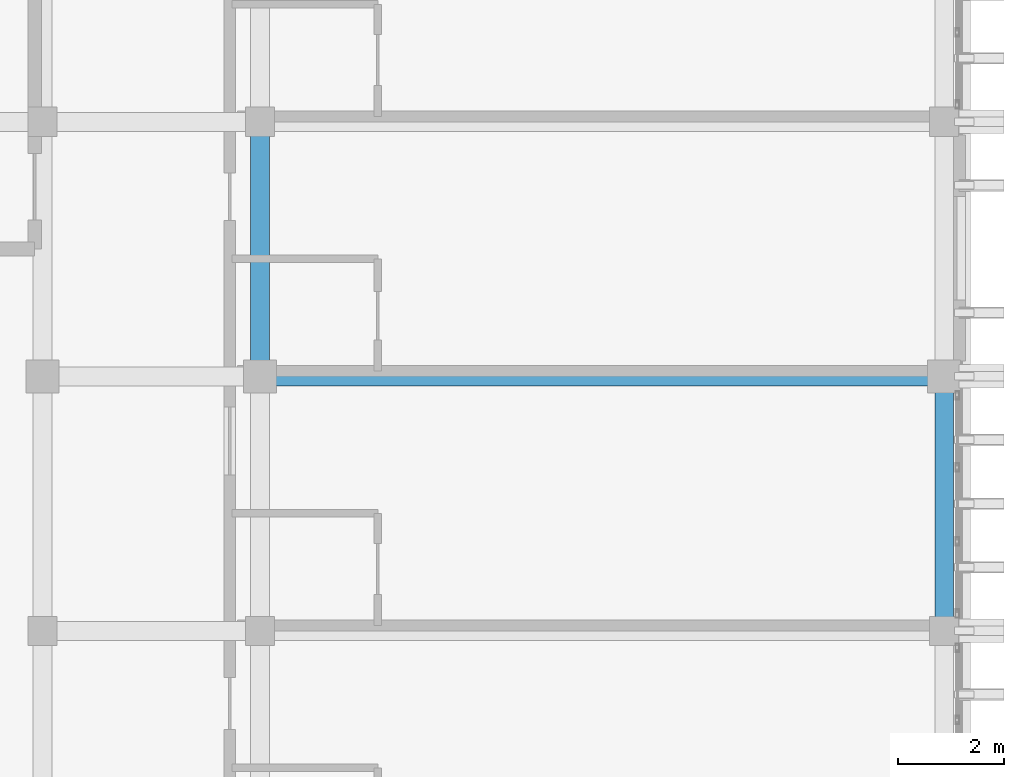
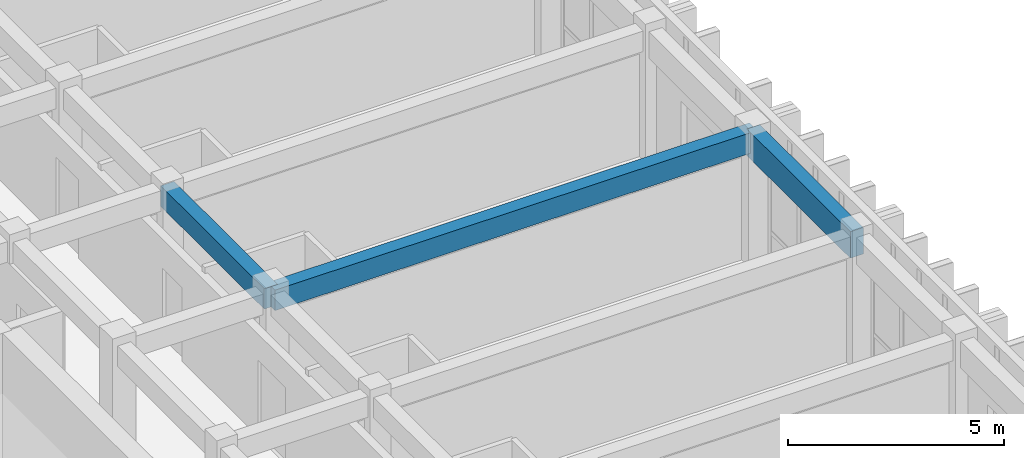
# One storey, part 16 of 50: 3 beams.
"""IFC4 building model written with IfcOpenShell, lengths in metres."""

from ifc_helpers import new_model, si_unit, direction, frame, origin, origin_2d, place, context, subcontext, project, spatial, rectangle, extrude, material, material_profile, profile_set, type_object, element, save


model = new_model("IFC4")

# Units and contexts
model_context = context("Model", 3, precision=1e-05, world=origin(), true_north=direction((0.0, 1.0)))
body_context = subcontext(model_context, "Body", "Model", "MODEL_VIEW")
ifc_project = project(units=[si_unit("LENGTHUNIT", "METRE"), si_unit("AREAUNIT", "SQUARE_METRE"), si_unit("VOLUMEUNIT", "CUBIC_METRE"), si_unit("PLANEANGLEUNIT", "RADIAN"), si_unit("MASSUNIT", "GRAM", prefix="KILO")], contexts=[model_context])

# Site, building, storey
site_placement = place(None, origin())
site = spatial("IfcSite", under=ifc_project, at=site_placement, CompositionType="ELEMENT")
building_placement = place(site_placement, origin())
building = spatial("IfcBuilding", under=site, at=building_placement, Name="Nakhvara Creek Congress Hotel", CompositionType="ELEMENT")
storey_placement = place(building_placement, frame((0.0, 0.0, 42.60009765625)))
storey = spatial("IfcBuildingStorey", under=building, at=storey_placement, Name="L10", CompositionType="ELEMENT", Elevation=42.60009765625)

# Beams
ifc_material = material(Name="Concrete C40/50", Category="concrete")
ifc_material_profile_1 = material_profile(ifc_material, rectangle(XDim=0.360107421875, YDim=0.580078125, at=origin_2d()), Name="RC-BM 360x580", Category="LoadBearing")
ifc_profile_set_1 = profile_set([ifc_material_profile_1], Name="Concrete C40/50")
beam_type_1 = type_object("IfcBeamType", Name="BM-RC-360X580", PredefinedType="BEAM", material=ifc_profile_set_1)
beam_1_placement = place(storey_placement, frame((166.449951171875, 86.39990234375, 3.369873046875), z_axis=(1.0, 0.0, 0.0), x_axis=(0.0, 1.0, 0.0)))
element("IfcBeam", 1, at=beam_1_placement, inside=storey, type_object=beam_type_1, Name="Beam B09-L10-2674", PredefinedType="BEAM", context=body_context, shape_type="SweptSolid", body=[
    extrude(rectangle(XDim=0.360107421875, YDim=0.580078125, at=origin_2d()), origin(), (0.0, 0.0, 1.0), 12.900146484375),
])
beam_2_placement = place(storey_placement, frame((166.449951171875, 86.39990234375, 3.369873046875), z_axis=(0.0, 1.0, 0.0), x_axis=(-1.0, 0.0, 0.0)))
element("IfcBeam", 2, at=beam_2_placement, inside=storey, type_object=beam_type_1, Name="Beam B09-L10-2676", PredefinedType="BEAM", context=body_context, shape_type="SweptSolid", body=[
    extrude(rectangle(XDim=0.360107421875, YDim=0.580078125, at=origin_2d()), origin(), (0.0, 0.0, 1.0), 4.800048828125),
])
ifc_material_profile_2 = material_profile(ifc_material, rectangle(XDim=0.35009765625, YDim=0.75, at=origin_2d()), Name="RC-SPANDREL 350x750", Category="LoadBearing")
ifc_profile_set_2 = profile_set([ifc_material_profile_2], Name="Concrete C40/50")
beam_type_2 = type_object("IfcBeamType", Name="BM-SPN-350X750", PredefinedType="SPANDREL", material=ifc_profile_set_2)
beam_3_placement = place(storey_placement, frame((179.35009765625, 81.60009765625, 3.284912109375), z_axis=(0.0, 1.0, 0.0), x_axis=(-1.0, 0.0, 0.0)))
element("IfcBeam", 3, at=beam_3_placement, inside=storey, type_object=beam_type_2, Name="Beam SP1-L10-2692", PredefinedType="SPANDREL", context=body_context, shape_type="SweptSolid", body=[
    extrude(rectangle(XDim=0.35009765625, YDim=0.75, at=origin_2d()), origin(), (0.0, 0.0, 1.0), 4.7998046875),
])

save(model, "model.ifc")
